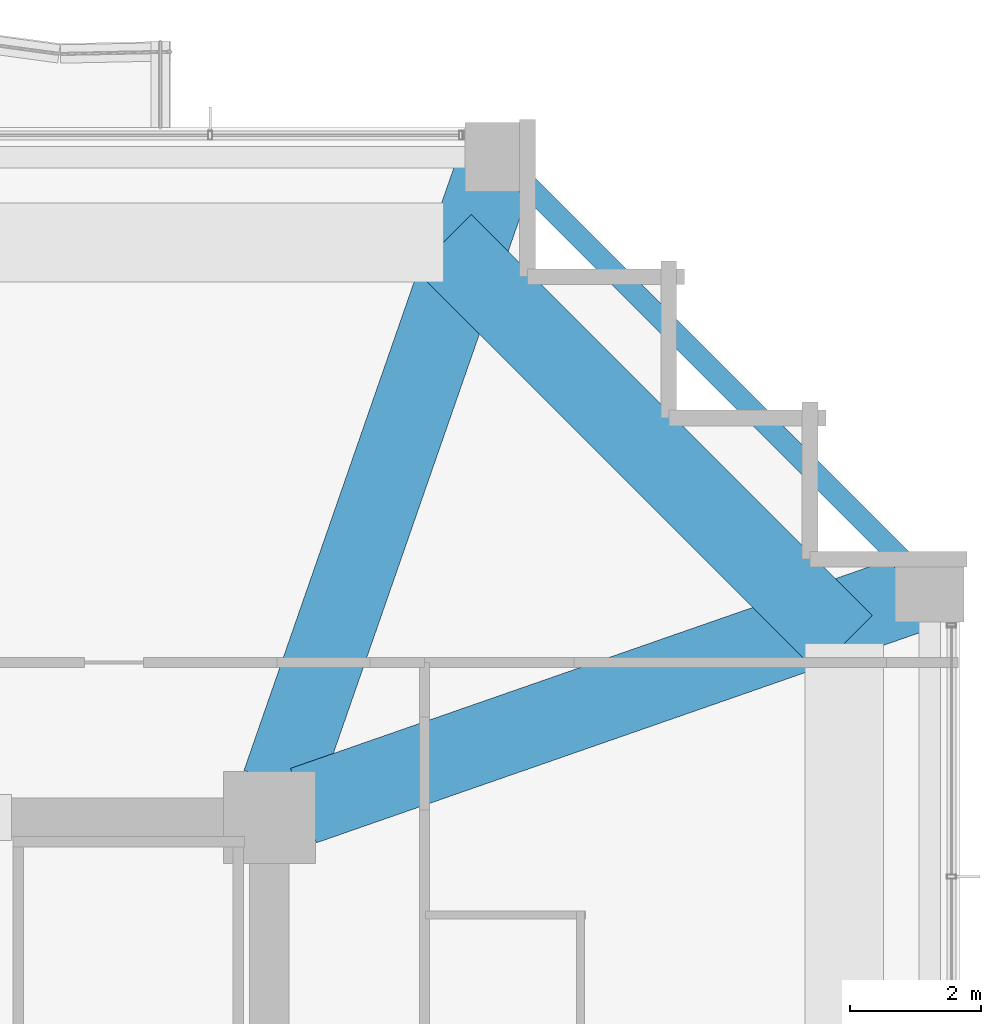
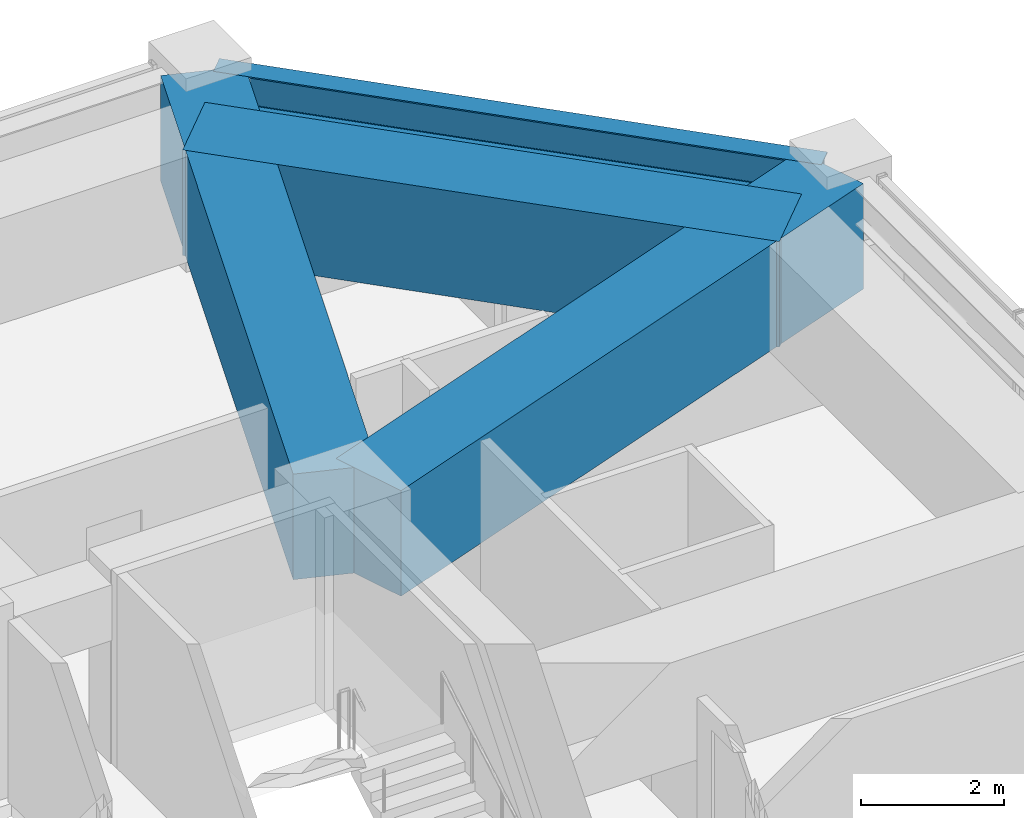
# One storey, part 23 of 34: 4 beams.
"""IFC4 building model written with IfcOpenShell, lengths in metres."""

from ifc_helpers import new_model, si_unit, direction, frame, origin, origin_2d, place, context, subcontext, project, spatial, rectangle, i_section, extrude, material, material_profile, profile_set, type_object, element, save


model = new_model("IFC4")

# Units and contexts
model_context = context("Model", 3, precision=1e-05, world=origin(), true_north=direction((0.0, 1.0)))
body_context = subcontext(model_context, "Body", "Model", "MODEL_VIEW")
ifc_project = project(units=[si_unit("LENGTHUNIT", "METRE"), si_unit("AREAUNIT", "SQUARE_METRE"), si_unit("VOLUMEUNIT", "CUBIC_METRE"), si_unit("PLANEANGLEUNIT", "RADIAN"), si_unit("MASSUNIT", "GRAM", prefix="KILO")], contexts=[model_context])

# Site, building, storey
site_placement = place(None, origin())
site = spatial("IfcSite", under=ifc_project, at=site_placement, CompositionType="ELEMENT")
building_placement = place(site_placement, origin())
building = spatial("IfcBuilding", under=site, at=building_placement, Name="Kolvaren Belvedere", CompositionType="ELEMENT")
storey_placement = place(building_placement, frame((0.0, 0.0, 105.199951171875)))
storey = spatial("IfcBuildingStorey", under=building, at=storey_placement, Name="L30", CompositionType="ELEMENT", Elevation=105.199951171875)

# Beams
ifc_material_1 = material(Name="Structural steel ASTM A992 Grade 50", Category="steel")
ifc_material_profile_1 = material_profile(ifc_material_1, i_section(OverallWidth=0.324951171875, OverallDepth=0.615966796875, WebThickness=0.013916015625, FlangeThickness=0.021484375, FilletRadius=0.02001953125, at=origin_2d()), Name="W24X117")
ifc_profile_set_1 = profile_set([ifc_material_profile_1], Name="Structural steel ASTM A992 Grade 50")
beam_type_1 = type_object("IfcBeamType", Name="BM-SPAN-W24X117", PredefinedType="SPANDREL", material=ifc_profile_set_1)
beam_1_placement = place(storey_placement, frame((19.782958984375, 13.567138671875, 2.77197265625), z_axis=(-0.707106781187, 0.707106781187, 0.0), x_axis=(-0.707106781187, -0.707106781187, 0.0)))
element("IfcBeam", 1, at=beam_1_placement, inside=storey, type_object=beam_type_1, Name="L30 Perimeter Spandrel E4-N4", PredefinedType="SPANDREL", context=body_context, shape_type="SweptSolid", body=[
    extrude(i_section(OverallWidth=0.324951171875, OverallDepth=0.615966796875, WebThickness=0.013916015625, FlangeThickness=0.021484375, FilletRadius=0.02001953125, at=origin_2d()), origin(), (0.0, 0.0, 1.0), 8.79052734375),
])
ifc_material_2 = material(Name="Concrete C50/60", Category="concrete")
ifc_material_profile_2 = material_profile(ifc_material_2, rectangle(XDim=1.199951171875, YDim=1.800048828125, at=origin_2d()), Name="RC 1200X1800")
ifc_profile_set_2 = profile_set([ifc_material_profile_2], Name="Concrete C50/60")
beam_type_2 = type_object("IfcBeamType", Name="BM-TG-1800", PredefinedType="BEAM", material=ifc_profile_set_2)
beam_2_placement = place(storey_placement, frame((18.64990234375, 12.550048828125, 2.179931640625), z_axis=(-0.707106781187, 0.707106781187, 0.0), x_axis=(-0.707106781187, -0.707106781187, 0.0)))
element("IfcBeam", 2, at=beam_2_placement, inside=storey, type_object=beam_type_2, Name="L30 Step Transfer Ring Girder E4-N4", PredefinedType="BEAM", context=body_context, shape_type="SweptSolid", body=[
    extrude(rectangle(XDim=1.199951171875, YDim=1.800048828125, at=origin_2d()), origin(), (0.0, 0.0, 1.0), 8.62646484375),
])
for number, where, z_axis, x_axis, name in (
    (3, (10.080810546875, 10.41943359375, 2.179931640625), (0.328880894453, 0.944371408538, 0.0), (-0.944371408538, 0.328880894453, 0.0), "L30 Corner Core-to-Perimeter Girder CC3-N4"),
    (4, (10.41943359375, 10.080810546875, 2.179931640625), (0.944371408538, 0.328880894453, 0.0), (-0.328880894453, 0.944371408538, 0.0), "L30 Corner Core-to-Perimeter Girder CC3-E4"),
):
    element("IfcBeam", number, at=place(storey_placement, frame(where, z_axis=z_axis, x_axis=x_axis)), inside=storey, type_object=beam_type_2, Name=name, PredefinedType="BEAM", context=body_context, shape_type="SweptSolid", body=[
        extrude(rectangle(XDim=1.199951171875, YDim=1.800048828125, at=origin_2d()), origin(), (0.0, 0.0, 1.0), 9.882080078125),
    ])

save(model, "model.ifc")
